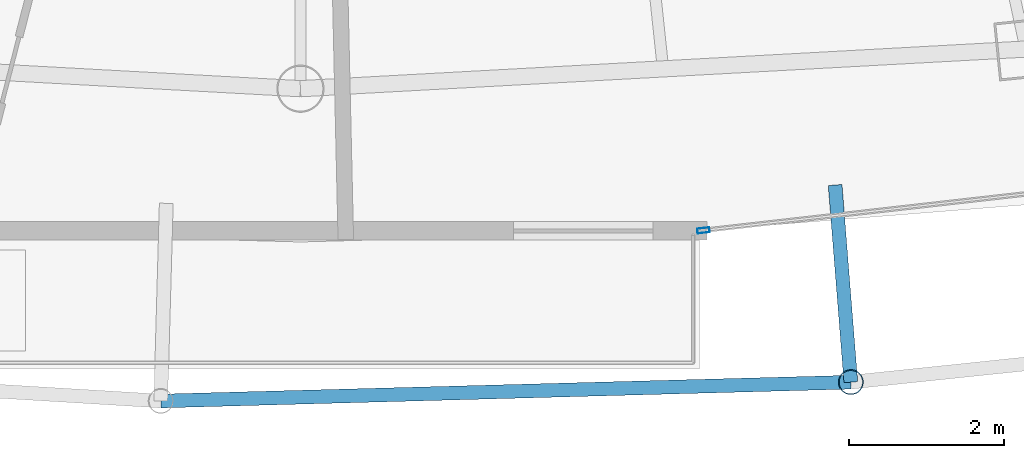
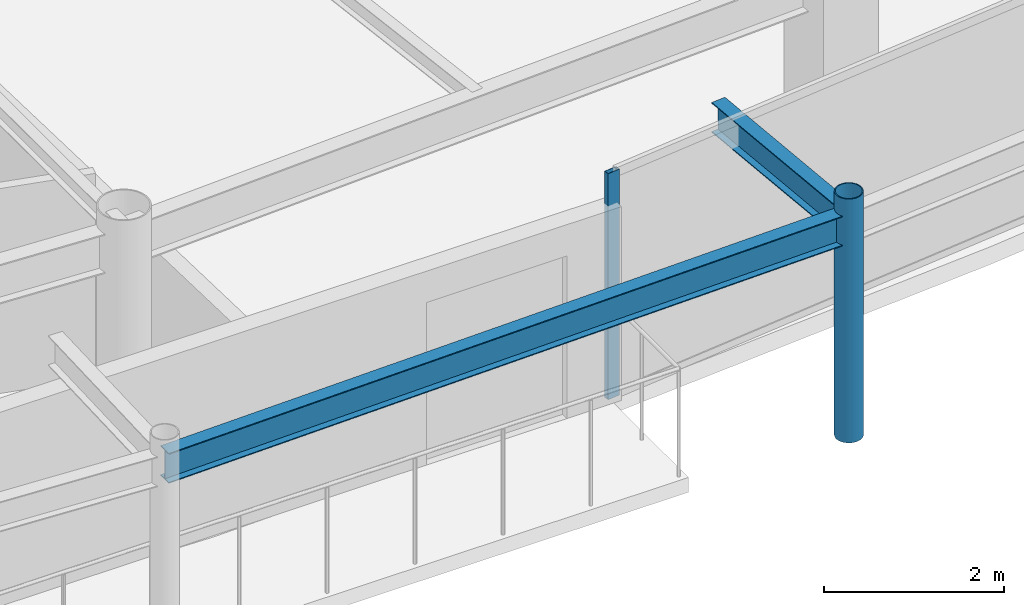
# One storey, part 8 of 30: 2 beams, 2 members, 1 element without a shape of its own.
"""IFC4 building model written with IfcOpenShell, lengths in metres."""

from ifc_helpers import new_model, si_unit, direction, frame, origin, origin_2d, place, context, subcontext, project, spatial, hollow_rectangle, hollow_circle, i_section, extrude, material, layer, layer_set, material_profile, profile_set, type_object, element, aggregate, save


model = new_model("IFC4")

# Units and contexts
model_context = context("Model", 3, precision=1e-05, world=origin(), true_north=direction((0.0, 1.0)))
body_context = subcontext(model_context, "Body", "Model", "MODEL_VIEW")
ifc_project = project(units=[si_unit("LENGTHUNIT", "METRE"), si_unit("AREAUNIT", "SQUARE_METRE"), si_unit("VOLUMEUNIT", "CUBIC_METRE"), si_unit("PLANEANGLEUNIT", "RADIAN"), si_unit("MASSUNIT", "GRAM", prefix="KILO")], contexts=[model_context])

# Site, building, storey
site_placement = place(None, origin())
site = spatial("IfcSite", under=ifc_project, at=site_placement, CompositionType="ELEMENT")
building_placement = place(site_placement, origin())
building = spatial("IfcBuilding", under=site, at=building_placement, Name="Orvanel Arch Residences", CompositionType="ELEMENT")
storey_placement = place(building_placement, frame((0.0, 0.0, 226.10009765625)))
storey = spatial("IfcBuildingStorey", under=building, at=storey_placement, Name="L64", CompositionType="ELEMENT", Elevation=226.10009765625)

# Curtain wall, member
ifc_material_1 = material(Name="Bronze-anodised aluminium AA6063-T6", Category="aluminium")
ifc_layer = layer(ifc_material_1, 0.175048828125)
ifc_layer_set = layer_set([ifc_layer], Name="Bronze-anodised aluminium AA6063-T6")
curtain_wall_type = type_object("IfcCurtainWallType", Name="CW4-HI-SYS", PredefinedType="NOTDEFINED", material=ifc_layer_set)
curtain_wall_placement = place(storey_placement, origin())
curtain_wall = element("IfcCurtainWall", 1, at=curtain_wall_placement, inside=storey, type_object=curtain_wall_type, Name="L64 CW4-HI-SYS Unitised Curtain Wall", PredefinedType="NOTDEFINED")
ifc_material_profile_1 = material_profile(ifc_material_1, hollow_rectangle(XDim=0.06494140625, YDim=0.159912109375, WallThickness=0.00390625, at=origin_2d()), Name="ALU160x65x4")
ifc_profile_set_1 = profile_set([ifc_material_profile_1], Name="Bronze-anodised aluminium AA6063-T6")
member_type_1 = type_object("IfcMemberType", Name="MUL-160x65", PredefinedType="MULLION", material=ifc_profile_set_1)
member_1_placement = place(storey_placement, frame((38.1962890625, 5.0166015625, 0.0), z_axis=(0.0, 0.0, 1.0), x_axis=(-0.112578003012, 0.993642890196, 0.0)))
member_1 = element("IfcMember", 2, at=member_1_placement, type_object=member_type_1, Name="CW-S4 mullion 1", PredefinedType="MULLION", context=body_context, shape_type="SweptSolid", body=[
    extrude(hollow_rectangle(XDim=0.06494140625, YDim=0.159912109375, WallThickness=0.00390625, at=origin_2d()), origin(), (0.0, 0.0, 1.0), 3.059814453125),
])
aggregate(curtain_wall, [member_1])

# Beams
ifc_material_2 = material(Name="Structural steel AS/NZS 3679.1 Grade 300 (300 MPa)", Category="steel")
ifc_material_profile_2 = material_profile(ifc_material_2, i_section(OverallWidth=0.177978515625, OverallDepth=0.406005859375, WebThickness=0.0078125, FlangeThickness=0.0126953125, at=origin_2d()), Name="410UB59.7")
ifc_profile_set_2 = profile_set([ifc_material_profile_2], Name="Structural steel AS/NZS 3679.1 Grade 300 (300 MPa)")
beam_type = type_object("IfcBeamType", Name="OB-410UB-EXT", PredefinedType="SPANDREL", material=ifc_profile_set_2)
beam_1_placement = place(storey_placement, frame((31.198974609375, 2.81689453125, 2.85693359375), z_axis=(0.99962679645, 0.027317902905, 0.0), x_axis=(-0.027317902905, 0.99962679645, 0.0)))
element("IfcBeam", 3, at=beam_1_placement, inside=storey, type_object=beam_type, Name="L64 Outer Perimeter Floor Ring Beam 06", PredefinedType="SPANDREL", context=body_context, shape_type="SweptSolid", body=[
    extrude(i_section(OverallWidth=0.177978515625, OverallDepth=0.406005859375, WebThickness=0.0078125, FlangeThickness=0.0126953125, at=origin_2d()), origin(), (0.0, 0.0, 1.0), 8.9013671875),
])
beam_2_placement = place(storey_placement, frame((39.89404296875, 5.60205078125, 2.85693359375), z_axis=(0.079558766563, -0.996830177444, 0.0), x_axis=(0.996830177444, 0.079558766563, 0.0)))
element("IfcBeam", 4, at=beam_2_placement, inside=storey, type_object=beam_type, Name="L64 Outer Frame Radial Tie Beam 07", PredefinedType="SPANDREL", context=body_context, shape_type="SweptSolid", body=[
    extrude(i_section(OverallWidth=0.177978515625, OverallDepth=0.406005859375, WebThickness=0.0078125, FlangeThickness=0.0126953125, at=origin_2d()), origin(), (0.0, 0.0, 1.0), 2.550048828125),
])

# Member
ifc_material_3 = material(Name="Structural steel AS/NZS 1163 C350L0 (Grade 350)", Category="steel")
ifc_material_profile_3 = material_profile(ifc_material_3, hollow_circle(Radius=0.162109375, WallThickness=0.0126953125, at=origin_2d()), Name="CHS324x12.7")
ifc_profile_set_3 = profile_set([ifc_material_profile_3], Name="Structural steel AS/NZS 1163 C350L0 (Grade 350)")
member_type_2 = type_object("IfcMemberType", Name="ST-324CHS-EXT", PredefinedType="STRUT", material=ifc_profile_set_3)
member_2_placement = place(storey_placement, frame((40.096923828125, 3.06005859375, 0.0), z_axis=(0.0, 0.0, 1.0), x_axis=(1.0, 0.0, 0.0)))
element("IfcMember", 5, at=member_2_placement, inside=storey, type_object=member_type_2, Name="L64 Outer Perimeter Frame Post 07", PredefinedType="STRUT", context=body_context, shape_type="SweptSolid", body=[
    extrude(hollow_circle(Radius=0.162109375, WallThickness=0.0126953125, at=origin_2d()), origin(), (0.0, 0.0, 1.0), 3.2998046875),
])

save(model, "model.ifc")
